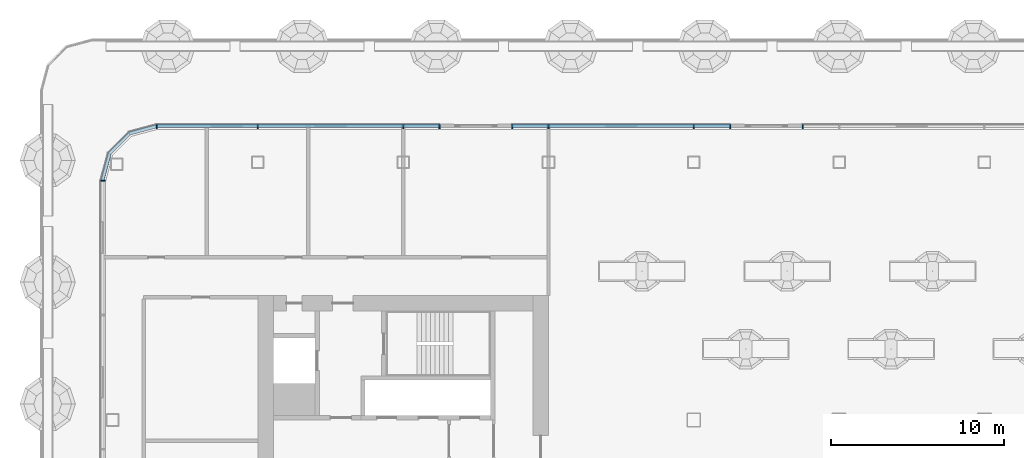
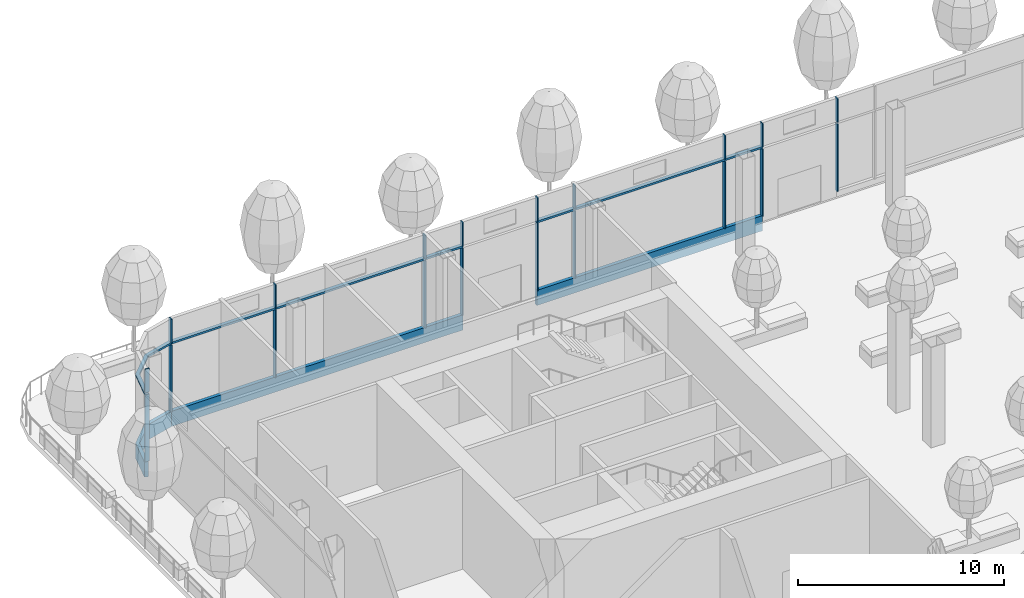
# One storey, part 6 of 43: 26 members, 3 elements without a shape of their own.
"""IFC4 building model written with IfcOpenShell, lengths in metres."""

from ifc_helpers import new_model, si_unit, direction, frame, origin, origin_2d, place, context, subcontext, project, spatial, polyline, rectangle, outline, extrude, material, layer, layer_set, material_profile, profile_set, type_object, element, aggregate, save


model = new_model("IFC4")

# Units and contexts
model_context = context("Model", 3, precision=1e-05, world=origin(), true_north=direction((0.0, 1.0)))
body_context = subcontext(model_context, "Body", "Model", "MODEL_VIEW")
ifc_project = project(units=[si_unit("LENGTHUNIT", "METRE"), si_unit("AREAUNIT", "SQUARE_METRE"), si_unit("VOLUMEUNIT", "CUBIC_METRE"), si_unit("PLANEANGLEUNIT", "RADIAN"), si_unit("MASSUNIT", "GRAM", prefix="KILO")], contexts=[model_context])

# Site, building, storey
site_placement = place(None, origin())
site = spatial("IfcSite", under=ifc_project, at=site_placement, CompositionType="ELEMENT")
building_placement = place(site_placement, origin())
building = spatial("IfcBuilding", under=site, at=building_placement, Name="Hakoniwa Tower and Hamabe Station Hall", CompositionType="ELEMENT")
storey_placement = place(building_placement, frame((0.0, 0.0, 124.60009765625)))
storey = spatial("IfcBuildingStorey", under=building, at=storey_placement, Name="L35", CompositionType="ELEMENT", Elevation=124.60009765625)

# Curtain wall, members
ifc_material_1 = material(Name="Dark low-e laminated glass", Category="glass")
ifc_layer = layer(ifc_material_1, 0.199951171875)
ifc_layer_set = layer_set([ifc_layer], Name="CW-2 SKY GARDEN")
curtain_wall_type = type_object("IfcCurtainWallType", Name="CW-2 SKY GARDEN", PredefinedType="NOTDEFINED", material=ifc_layer_set)
curtain_wall_1_placement = place(storey_placement, origin())
curtain_wall_1 = element("IfcCurtainWall", 1, at=curtain_wall_1_placement, inside=storey, type_object=curtain_wall_type, Name="CW-2 curtain wall", PredefinedType="NOTDEFINED")
ifc_material_2 = material(Name="Aluminium 6063-T5 black anodised", Category="aluminium")
ifc_material_profile_1 = material_profile(ifc_material_2, rectangle(XDim=0.199951171875, YDim=0.1201171875, at=origin_2d()), Name="CW MID TRANSOM 120X200")
ifc_profile_set_1 = profile_set([ifc_material_profile_1], Name="Aluminium 6063-T5 black anodised")
member_type_1 = type_object("IfcMemberType", Name="CW MID TRANSOM 120X200", PredefinedType="USERDEFINED", material=ifc_profile_set_1)
member_1_placement = place(storey_placement, frame((-6.27001953125, 18.199951171875, 4.389892578125), z_axis=(-1.0, 0.0, 0.0), x_axis=(0.0, -1.0, 0.0)))
member_1 = element("IfcMember", 2, at=member_1_placement, type_object=member_type_1, Name="CW-2 transom", ObjectType="TRANSOM", PredefinedType="USERDEFINED", context=body_context, shape_type="SweptSolid", body=[
    extrude(rectangle(XDim=0.199951171875, YDim=0.1201171875, at=origin_2d()), origin(), (0.0, 0.0, 1.0), 12.659912109375),
])
member_2_placement = place(storey_placement, frame((-23.070068359375, 18.199951171875, 4.389892578125), z_axis=(-1.0, 0.0, 0.0), x_axis=(0.0, -1.0, 0.0)))
member_2 = element("IfcMember", 3, at=member_2_placement, type_object=member_type_1, Name="CW-2 transom", ObjectType="TRANSOM", PredefinedType="USERDEFINED", context=body_context, shape_type="SweptSolid", body=[
    extrude(rectangle(XDim=0.199951171875, YDim=0.1201171875, at=origin_2d()), origin(), (0.0, 0.0, 1.0), 16.369384765625),
])

# Curtain wall, member
curtain_wall_2_placement = place(storey_placement, origin())
curtain_wall_2 = element("IfcCurtainWall", 4, at=curtain_wall_2_placement, inside=storey, type_object=curtain_wall_type, Name="CW-2 curtain wall", PredefinedType="NOTDEFINED")
member_3_placement = place(storey_placement, frame((0.0, 0.0, 4.329833984375)))
member_3 = element("IfcMember", 5, at=member_3_placement, type_object=member_type_1, Name="CW-2 transom", ObjectType="TRANSOM", PredefinedType="USERDEFINED", context=body_context, shape_type="SweptSolid", body=[
    extrude(outline(polyline([(-39.439453125, 18.300048828125), (-41.05517578125, 17.866943359375), (-42.26708984375, 16.6552734375), (-42.699951171875, 15.03955078125), (-42.5068359375, 14.98779296875), (-42.087646484375, 16.5517578125), (-40.95166015625, 17.687744140625), (-39.3876953125, 18.10693359375), (-39.439453125, 18.300048828125)])), origin(), (0.0, 0.0, 1.0), 0.1201171875),
])

# Member
ifc_material_3 = material(Name="Aluminium 6063-T5 black anodised", Category="aluminium")
ifc_material_profile_2 = material_profile(ifc_material_3, rectangle(XDim=0.199951171875, YDim=0.89990234375, at=origin_2d()), Name="CW SLAB-EDGE BAND 900X200")
ifc_profile_set_2 = profile_set([ifc_material_profile_2], Name="Aluminium 6063-T5 black anodised")
member_type_2 = type_object("IfcMemberType", Name="CW SLAB-EDGE BAND 900X200", PredefinedType="USERDEFINED", material=ifc_profile_set_2)
member_4_placement = place(storey_placement, frame((-6.27001953125, 18.199951171875, -0.10009765625), z_axis=(-1.0, 0.0, 0.0), x_axis=(0.0, -1.0, 0.0)))
member_4 = element("IfcMember", 6, at=member_4_placement, type_object=member_type_2, Name="CW-2 transom", ObjectType="TRANSOM", PredefinedType="USERDEFINED", context=body_context, shape_type="SweptSolid", body=[
    extrude(rectangle(XDim=0.199951171875, YDim=0.89990234375, at=origin_2d()), origin(), (0.0, 0.0, 1.0), 12.659912109375),
])

member_5_placement = place(storey_placement, frame((-23.070068359375, 18.199951171875, -0.10009765625), z_axis=(-1.0, 0.0, 0.0), x_axis=(0.0, -1.0, 0.0)))
member_5 = element("IfcMember", 7, at=member_5_placement, type_object=member_type_2, Name="CW-2 transom", ObjectType="TRANSOM", PredefinedType="USERDEFINED", context=body_context, shape_type="SweptSolid", body=[
    extrude(rectangle(XDim=0.199951171875, YDim=0.89990234375, at=origin_2d()), origin(), (0.0, 0.0, 1.0), 16.369384765625),
])

member_6_placement = place(storey_placement, frame((0.0, 0.0, -0.550048828125)))
member_6 = element("IfcMember", 8, at=member_6_placement, type_object=member_type_2, Name="CW-2 transom", ObjectType="TRANSOM", PredefinedType="USERDEFINED", context=body_context, shape_type="SweptSolid", body=[
    extrude(outline(polyline([(-39.439453125, 18.300048828125), (-41.05517578125, 17.866943359375), (-42.26708984375, 16.6552734375), (-42.699951171875, 15.03955078125), (-42.5068359375, 14.98779296875), (-42.087646484375, 16.5517578125), (-40.95166015625, 17.687744140625), (-39.3876953125, 18.10693359375), (-39.439453125, 18.300048828125)])), origin(), (0.0, 0.0, 1.0), 0.89990234375),
])

aggregate(curtain_wall_2, [member_6, member_3])

ifc_material_4 = material(Name="Aluminium 6063-T5 black anodised", Category="aluminium")
ifc_material_profile_3 = material_profile(ifc_material_4, rectangle(XDim=0.06005859375, YDim=0.239990234375, at=origin_2d()), Name="CW-2 MULLION 60X240")
ifc_profile_set_3 = profile_set([ifc_material_profile_3], Name="Aluminium 6063-T5 black anodised")
member_type_3 = type_object("IfcMemberType", Name="CW-2 MULLION 60X240", PredefinedType="MULLION", material=ifc_profile_set_3)
member_7_placement = place(storey_placement, frame((-2.10009765625, 18.152099609375, 0.349853515625), z_axis=(0.0, 0.0, 1.0), x_axis=(-1.0, 0.0, 0.0)))
member_7 = element("IfcMember", 9, at=member_7_placement, type_object=member_type_3, Name="CW-2 mullion", PredefinedType="MULLION", context=body_context, shape_type="SweptSolid", body=[
    extrude(rectangle(XDim=0.06005859375, YDim=0.239990234375, at=origin_2d()), origin(), (0.0, 0.0, 1.0), 3.97998046875),
])

member_8_placement = place(storey_placement, frame((-2.10009765625, 18.152099609375, 4.449951171875), z_axis=(0.0, 0.0, 1.0), x_axis=(-1.0, 0.0, 0.0)))
member_8 = element("IfcMember", 10, at=member_8_placement, type_object=member_type_3, Name="CW-2 mullion", PredefinedType="MULLION", context=body_context, shape_type="SweptSolid", body=[
    extrude(rectangle(XDim=0.06005859375, YDim=0.239990234375, at=origin_2d()), origin(), (0.0, 0.0, 1.0), 1.39990234375),
])

member_9_placement = place(storey_placement, frame((-6.300048828125, 18.152099609375, 0.349853515625), z_axis=(0.0, 0.0, 1.0), x_axis=(-1.0, 0.0, 0.0)))
member_9 = element("IfcMember", 11, at=member_9_placement, type_object=member_type_3, Name="CW-2 mullion", PredefinedType="MULLION", context=body_context, shape_type="SweptSolid", body=[
    extrude(rectangle(XDim=0.06005859375, YDim=0.239990234375, at=origin_2d()), origin(), (0.0, 0.0, 1.0), 3.97998046875),
])

member_10_placement = place(storey_placement, frame((-6.300048828125, 18.152099609375, 4.449951171875), z_axis=(0.0, 0.0, 1.0), x_axis=(-1.0, 0.0, 0.0)))
member_10 = element("IfcMember", 12, at=member_10_placement, type_object=member_type_3, Name="CW-2 mullion", PredefinedType="MULLION", context=body_context, shape_type="SweptSolid", body=[
    extrude(rectangle(XDim=0.06005859375, YDim=0.239990234375, at=origin_2d()), origin(), (0.0, 0.0, 1.0), 1.39990234375),
])

member_11_placement = place(storey_placement, frame((-8.39990234375, 18.152099609375, 0.349853515625), z_axis=(0.0, 0.0, 1.0), x_axis=(-1.0, 0.0, 0.0)))
member_11 = element("IfcMember", 13, at=member_11_placement, type_object=member_type_3, Name="CW-2 mullion", PredefinedType="MULLION", context=body_context, shape_type="SweptSolid", body=[
    extrude(rectangle(XDim=0.06005859375, YDim=0.239990234375, at=origin_2d()), origin(), (0.0, 0.0, 1.0), 3.97998046875),
])

member_12_placement = place(storey_placement, frame((-8.39990234375, 18.152099609375, 4.449951171875), z_axis=(0.0, 0.0, 1.0), x_axis=(-1.0, 0.0, 0.0)))
member_12 = element("IfcMember", 14, at=member_12_placement, type_object=member_type_3, Name="CW-2 mullion", PredefinedType="MULLION", context=body_context, shape_type="SweptSolid", body=[
    extrude(rectangle(XDim=0.06005859375, YDim=0.239990234375, at=origin_2d()), origin(), (0.0, 0.0, 1.0), 1.39990234375),
])

member_13_placement = place(storey_placement, frame((-16.800048828125, 18.152099609375, 0.349853515625), z_axis=(0.0, 0.0, 1.0), x_axis=(-1.0, 0.0, 0.0)))
member_13 = element("IfcMember", 15, at=member_13_placement, type_object=member_type_3, Name="CW-2 mullion", PredefinedType="MULLION", context=body_context, shape_type="SweptSolid", body=[
    extrude(rectangle(XDim=0.06005859375, YDim=0.239990234375, at=origin_2d()), origin(), (0.0, 0.0, 1.0), 3.97998046875),
])

member_14_placement = place(storey_placement, frame((-16.800048828125, 18.152099609375, 4.449951171875), z_axis=(0.0, 0.0, 1.0), x_axis=(-1.0, 0.0, 0.0)))
member_14 = element("IfcMember", 16, at=member_14_placement, type_object=member_type_3, Name="CW-2 mullion", PredefinedType="MULLION", context=body_context, shape_type="SweptSolid", body=[
    extrude(rectangle(XDim=0.06005859375, YDim=0.239990234375, at=origin_2d()), origin(), (0.0, 0.0, 1.0), 1.39990234375),
])

member_15_placement = place(storey_placement, frame((-18.89990234375, 18.152099609375, 0.349853515625), z_axis=(0.0, 0.0, 1.0), x_axis=(-1.0, 0.0, 0.0)))
member_15 = element("IfcMember", 17, at=member_15_placement, type_object=member_type_3, Name="CW-2 mullion", PredefinedType="MULLION", context=body_context, shape_type="SweptSolid", body=[
    extrude(rectangle(XDim=0.06005859375, YDim=0.239990234375, at=origin_2d()), origin(), (0.0, 0.0, 1.0), 3.97998046875),
])

member_16_placement = place(storey_placement, frame((-18.89990234375, 18.152099609375, 4.449951171875), z_axis=(0.0, 0.0, 1.0), x_axis=(-1.0, 0.0, 0.0)))
member_16 = element("IfcMember", 18, at=member_16_placement, type_object=member_type_3, Name="CW-2 mullion", PredefinedType="MULLION", context=body_context, shape_type="SweptSolid", body=[
    extrude(rectangle(XDim=0.06005859375, YDim=0.239990234375, at=origin_2d()), origin(), (0.0, 0.0, 1.0), 1.39990234375),
])

member_17_placement = place(storey_placement, frame((-23.10009765625, 18.152099609375, 0.349853515625), z_axis=(0.0, 0.0, 1.0), x_axis=(-1.0, 0.0, 0.0)))
member_17 = element("IfcMember", 19, at=member_17_placement, type_object=member_type_3, Name="CW-2 mullion", PredefinedType="MULLION", context=body_context, shape_type="SweptSolid", body=[
    extrude(rectangle(XDim=0.06005859375, YDim=0.239990234375, at=origin_2d()), origin(), (0.0, 0.0, 1.0), 3.97998046875),
])

member_18_placement = place(storey_placement, frame((-23.10009765625, 18.152099609375, 4.449951171875), z_axis=(0.0, 0.0, 1.0), x_axis=(-1.0, 0.0, 0.0)))
member_18 = element("IfcMember", 20, at=member_18_placement, type_object=member_type_3, Name="CW-2 mullion", PredefinedType="MULLION", context=body_context, shape_type="SweptSolid", body=[
    extrude(rectangle(XDim=0.06005859375, YDim=0.239990234375, at=origin_2d()), origin(), (0.0, 0.0, 1.0), 1.39990234375),
])

member_19_placement = place(storey_placement, frame((-25.199951171875, 18.152099609375, 0.349853515625), z_axis=(0.0, 0.0, 1.0), x_axis=(-1.0, 0.0, 0.0)))
member_19 = element("IfcMember", 21, at=member_19_placement, type_object=member_type_3, Name="CW-2 mullion", PredefinedType="MULLION", context=body_context, shape_type="SweptSolid", body=[
    extrude(rectangle(XDim=0.06005859375, YDim=0.239990234375, at=origin_2d()), origin(), (0.0, 0.0, 1.0), 3.97998046875),
])

member_20_placement = place(storey_placement, frame((-25.199951171875, 18.152099609375, 4.449951171875), z_axis=(0.0, 0.0, 1.0), x_axis=(-1.0, 0.0, 0.0)))
member_20 = element("IfcMember", 22, at=member_20_placement, type_object=member_type_3, Name="CW-2 mullion", PredefinedType="MULLION", context=body_context, shape_type="SweptSolid", body=[
    extrude(rectangle(XDim=0.06005859375, YDim=0.239990234375, at=origin_2d()), origin(), (0.0, 0.0, 1.0), 1.39990234375),
])

member_21_placement = place(storey_placement, frame((-33.60009765625, 18.152099609375, 0.349853515625), z_axis=(0.0, 0.0, 1.0), x_axis=(-1.0, 0.0, 0.0)))
member_21 = element("IfcMember", 23, at=member_21_placement, type_object=member_type_3, Name="CW-2 mullion", PredefinedType="MULLION", context=body_context, shape_type="SweptSolid", body=[
    extrude(rectangle(XDim=0.06005859375, YDim=0.239990234375, at=origin_2d()), origin(), (0.0, 0.0, 1.0), 3.97998046875),
])

member_22_placement = place(storey_placement, frame((-33.60009765625, 18.152099609375, 4.449951171875), z_axis=(0.0, 0.0, 1.0), x_axis=(-1.0, 0.0, 0.0)))
member_22 = element("IfcMember", 24, at=member_22_placement, type_object=member_type_3, Name="CW-2 mullion", PredefinedType="MULLION", context=body_context, shape_type="SweptSolid", body=[
    extrude(rectangle(XDim=0.06005859375, YDim=0.239990234375, at=origin_2d()), origin(), (0.0, 0.0, 1.0), 1.39990234375),
])

member_23_placement = place(storey_placement, frame((-39.439453125, 18.152099609375, 0.349853515625), z_axis=(0.0, 0.0, 1.0), x_axis=(-1.0, 0.0, 0.0)))
member_23 = element("IfcMember", 25, at=member_23_placement, type_object=member_type_3, Name="CW-2 mullion", PredefinedType="MULLION", context=body_context, shape_type="SweptSolid", body=[
    extrude(rectangle(XDim=0.06005859375, YDim=0.239990234375, at=origin_2d()), origin(), (0.0, 0.0, 1.0), 3.97998046875),
])

member_24_placement = place(storey_placement, frame((-39.439453125, 18.152099609375, 4.449951171875), z_axis=(0.0, 0.0, 1.0), x_axis=(-1.0, 0.0, 0.0)))
member_24 = element("IfcMember", 26, at=member_24_placement, type_object=member_type_3, Name="CW-2 mullion", PredefinedType="MULLION", context=body_context, shape_type="SweptSolid", body=[
    extrude(rectangle(XDim=0.06005859375, YDim=0.239990234375, at=origin_2d()), origin(), (0.0, 0.0, 1.0), 1.39990234375),
])

aggregate(curtain_wall_1, [member_7, member_8, member_9, member_10, member_11, member_12, member_13, member_14, member_15, member_16, member_17, member_18, member_19, member_20, member_21, member_22, member_23, member_24, member_4, member_1, member_5, member_2])

# Curtain wall, members
curtain_wall_3_placement = place(storey_placement, origin())
curtain_wall_3 = element("IfcCurtainWall", 27, at=curtain_wall_3_placement, inside=storey, type_object=curtain_wall_type, Name="CW-2 curtain wall", PredefinedType="NOTDEFINED")
member_25_placement = place(storey_placement, frame((-42.552001953125, 15.03955078125, 0.349853515625), z_axis=(0.0, 0.0, 1.0), x_axis=(0.0, -1.0, 0.0)))
member_25 = element("IfcMember", 28, at=member_25_placement, type_object=member_type_3, Name="CW-2 mullion", PredefinedType="MULLION", context=body_context, shape_type="SweptSolid", body=[
    extrude(rectangle(XDim=0.06005859375, YDim=0.239990234375, at=origin_2d()), origin(), (0.0, 0.0, 1.0), 3.97998046875),
])
member_26_placement = place(storey_placement, frame((-42.552001953125, 15.03955078125, 4.449951171875), z_axis=(0.0, 0.0, 1.0), x_axis=(0.0, -1.0, 0.0)))
member_26 = element("IfcMember", 29, at=member_26_placement, type_object=member_type_3, Name="CW-2 mullion", PredefinedType="MULLION", context=body_context, shape_type="SweptSolid", body=[
    extrude(rectangle(XDim=0.06005859375, YDim=0.239990234375, at=origin_2d()), origin(), (0.0, 0.0, 1.0), 1.39990234375),
])
aggregate(curtain_wall_3, [member_25, member_26])

save(model, "model.ifc")
